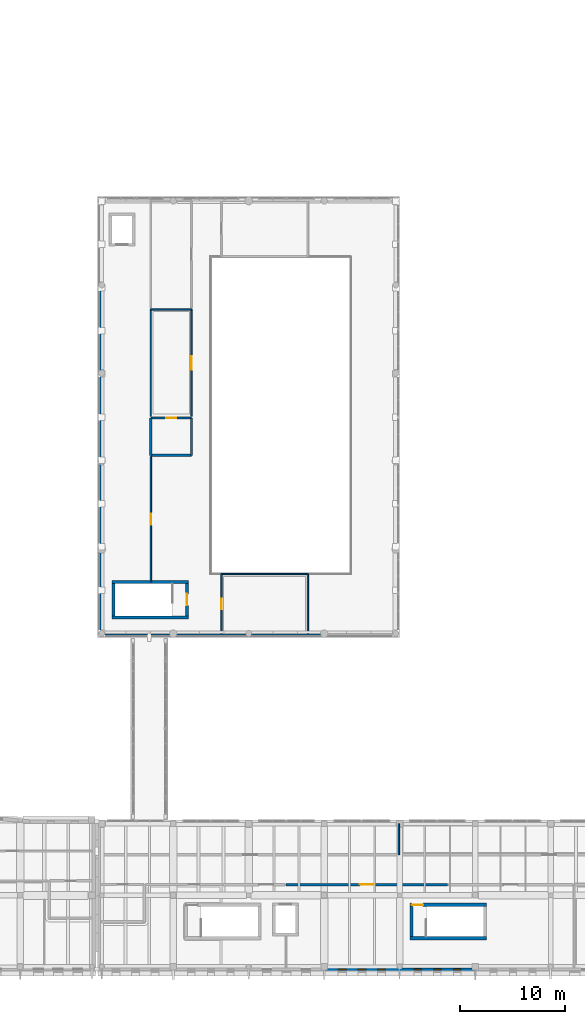
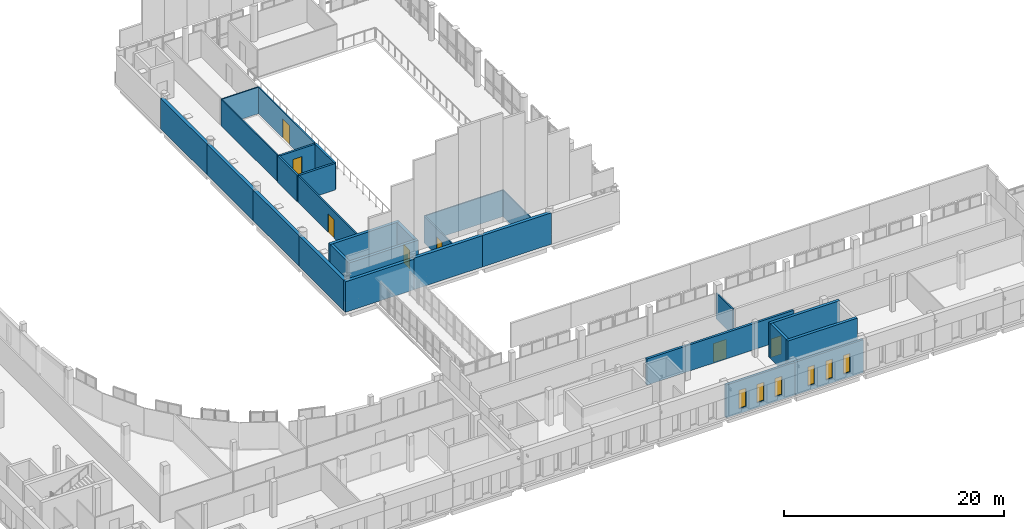
# One storey, part 53 of 76: 29 walls, 7 doors, 6 windows, 13 openings.
"""IFC4 building model written with IfcOpenShell, lengths in metres."""

from ifc_helpers import new_model, si_unit, direction, frame, frame_2d, origin, place, context, subcontext, project, spatial, rectangle, extrude, material, layer, layer_set, type_object, element, fill, save


model = new_model("IFC4")

# Units and contexts
model_context = context("Model", 3, precision=1e-05, world=origin(), true_north=direction((0.0, 1.0)))
body_context = subcontext(model_context, "Body", "Model", "MODEL_VIEW")
ifc_project = project(units=[si_unit("LENGTHUNIT", "METRE"), si_unit("AREAUNIT", "SQUARE_METRE"), si_unit("VOLUMEUNIT", "CUBIC_METRE"), si_unit("PLANEANGLEUNIT", "RADIAN"), si_unit("MASSUNIT", "GRAM", prefix="KILO")], contexts=[model_context])

# Site, building, storey
site_placement = place(None, origin())
site = spatial("IfcSite", under=ifc_project, at=site_placement, CompositionType="ELEMENT")
building_placement = place(site_placement, origin())
building = spatial("IfcBuilding", under=site, at=building_placement, Name="Vardoun Plaza Health Centre", CompositionType="ELEMENT")
storey_placement = place(building_placement, frame((0.0, 0.0, 4.5)))
storey = spatial("IfcBuildingStorey", under=building, at=storey_placement, Name="L01", CompositionType="ELEMENT", Elevation=4.5)

# Walls
ifc_material_1 = material(Name="Concrete C40/50", Category="concrete")
ifc_layer_1 = layer(ifc_material_1, 0.300048828125)
ifc_layer_set_1 = layer_set([ifc_layer_1], Name="Concrete C40/50")
wall_type_1 = type_object("IfcWallType", Name="SW-01", PredefinedType="SHEAR", material=ifc_layer_set_1)
wall_1_placement = place(storey_placement, frame((56.550048828125, 38.199951171875, 0.0), z_axis=(0.0, 0.0, 1.0), x_axis=(-1.0, 0.0, 0.0)))
element("IfcWall", 1, at=wall_1_placement, inside=storey, type_object=wall_type_1, Name="Core C5 L01 Shear Wall S", PredefinedType="SHEAR", context=body_context, shape_type="SweptSolid", body=[
    extrude(rectangle(XDim=7.300048828125, YDim=0.300048828125, at=frame_2d((3.64990234375, 0.0))), origin(), (0.0, 0.0, 1.0), 3.919921875),
])
wall_2_placement = place(storey_placement, frame((49.39990234375, 38.35009765625, 0.0), z_axis=(0.0, 0.0, 1.0), x_axis=(0.0, 1.0, 0.0)))
element("IfcWall", 2, at=wall_2_placement, inside=storey, type_object=wall_type_1, Name="Core C5 L01 Shear Wall W", PredefinedType="SHEAR", context=body_context, shape_type="SweptSolid", body=[
    extrude(rectangle(XDim=3.099853515625, YDim=0.300048828125, at=frame_2d((1.5498046875, 0.0))), origin(), (0.0, 0.0, 1.0), 3.919921875),
])
wall_3_placement = place(storey_placement, frame((49.25, 41.60009765625, 0.0), z_axis=(0.0, 0.0, 1.0), x_axis=(1.0, 0.0, 0.0)))
element("IfcWall", 3, at=wall_3_placement, inside=storey, type_object=wall_type_1, Name="Core C5 L01 Shear Wall N", PredefinedType="SHEAR", context=body_context, shape_type="SweptSolid", body=[
    extrude(rectangle(XDim=7.300048828125, YDim=0.300048828125, at=frame_2d((3.64990234375, 0.0))), origin(), (0.0, 0.0, 1.0), 3.919921875),
])

# Wall, opening, door
wall_4_placement = place(storey_placement, frame((56.39990234375, 41.449951171875, 0.0), z_axis=(0.0, 0.0, 1.0), x_axis=(0.0, -1.0, 0.0)))
wall_4 = element("IfcWall", 4, at=wall_4_placement, inside=storey, type_object=wall_type_1, Name="Core C5 L01 Shear Wall E", PredefinedType="SHEAR", context=body_context, shape_type="SweptSolid", body=[
    extrude(rectangle(XDim=3.099853515625, YDim=0.300048828125, at=frame_2d((1.5498046875, 0.0))), origin(), (0.0, 0.0, 1.0), 3.919921875),
])
opening_1_placement = place(wall_4_placement, frame((1.0, 0.0, 0.0)))
opening_1 = element("IfcOpeningElement", 5, at=opening_1_placement, cuts=wall_4, Name="Opening SD-C5-L01", PredefinedType="OPENING", context=body_context, shape_type="SweptSolid", body=[
    extrude(rectangle(XDim=1.10009765625, YDim=2.050048828125, at=frame_2d((0.550048828125, 1.02490234375))), frame((0.0, 0.14990234375, 0.0), z_axis=(0.0, -1.0, 0.0), x_axis=(1.0, 0.0, 0.0)), (0.0, 0.0, 1.0), 0.300048828125),
])
ifc_material_2 = material(Name="Brushed Stainless Steel Grade 316L", Category="steel")
door_type_1 = type_object("IfcDoorType", Name="FD-01", OperationType="NOTDEFINED", PredefinedType="DOOR", material=ifc_material_2)
door_1_placement = place(opening_1_placement, origin())
door_1 = element("IfcDoor", 6, at=door_1_placement, inside=storey, type_object=door_type_1, Name="Stair C5 L01 Fire Door", OperationType="SINGLE_SWING_RIGHT", OverallHeight=2.050048828125, OverallWidth=1.10009765625, PredefinedType="DOOR", context=body_context, shape_type="SweptSolid", body=[
    extrude(rectangle(XDim=1.10009765625, YDim=2.050048828125, at=frame_2d((0.550048828125, 1.02490234375))), frame((0.0, 0.02490234375, 0.0), z_axis=(0.0, -1.0, 0.0), x_axis=(1.0, 0.0, 0.0)), (0.0, 0.0, 1.0), 0.050048828125),
])
fill(opening_1, door_1)

# Walls
wall_5_placement = place(storey_placement, frame((84.949951171875, 7.60009765625, 0.0), z_axis=(0.0, 0.0, 1.0), x_axis=(-1.0, 0.0, 0.0)))
element("IfcWall", 7, at=wall_5_placement, inside=storey, type_object=wall_type_1, Name="Core C7 L01 Shear Wall S", PredefinedType="SHEAR", context=body_context, shape_type="SweptSolid", body=[
    extrude(rectangle(XDim=7.300048828125, YDim=0.300048828125, at=frame_2d((3.64990234375, 0.0))), origin(), (0.0, 0.0, 1.0), 3.885009765625),
])
wall_6_placement = place(storey_placement, frame((77.800048828125, 7.75, 0.0), z_axis=(0.0, 0.0, 1.0), x_axis=(0.0, 1.0, 0.0)))
element("IfcWall", 8, at=wall_6_placement, inside=storey, type_object=wall_type_1, Name="Core C7 L01 Shear Wall W", PredefinedType="SHEAR", context=body_context, shape_type="SweptSolid", body=[
    extrude(rectangle(XDim=2.89990234375, YDim=0.300048828125, at=frame_2d((1.449951171875, 0.0))), origin(), (0.0, 0.0, 1.0), 3.885009765625),
])

# Wall, opening, door
wall_7_placement = place(storey_placement, frame((77.64990234375, 10.800048828125, 0.0), z_axis=(0.0, 0.0, 1.0), x_axis=(1.0, 0.0, 0.0)))
wall_7 = element("IfcWall", 9, at=wall_7_placement, inside=storey, type_object=wall_type_1, Name="Core C7 L01 Shear Wall N", PredefinedType="SHEAR", context=body_context, shape_type="SweptSolid", body=[
    extrude(rectangle(XDim=7.300048828125, YDim=0.300048828125, at=frame_2d((3.64990234375, 0.0))), origin(), (0.0, 0.0, 1.0), 3.885009765625),
])
opening_2_placement = place(wall_7_placement, frame((0.159912109375, 0.0, 0.0)))
opening_2 = element("IfcOpeningElement", 10, at=opening_2_placement, cuts=wall_7, Name="Opening SD-C7-L01", PredefinedType="OPENING", context=body_context, shape_type="SweptSolid", body=[
    extrude(rectangle(XDim=1.10009765625, YDim=2.050048828125, at=frame_2d((0.550048828125, 1.02490234375))), frame((0.0, 0.14990234375, 0.0), z_axis=(0.0, -1.0, 0.0), x_axis=(1.0, 0.0, 0.0)), (0.0, 0.0, 1.0), 0.300048828125),
])
door_2_placement = place(opening_2_placement, origin())
door_2 = element("IfcDoor", 11, at=door_2_placement, inside=storey, type_object=door_type_1, Name="Stair C7 L01 Fire Door", OperationType="SINGLE_SWING_RIGHT", OverallHeight=2.050048828125, OverallWidth=1.10009765625, PredefinedType="DOOR", context=body_context, shape_type="SweptSolid", body=[
    extrude(rectangle(XDim=1.10009765625, YDim=2.050048828125, at=frame_2d((0.550048828125, 1.02490234375))), frame((0.0, 0.02490234375, 0.0), z_axis=(0.0, -1.0, 0.0), x_axis=(1.0, 0.0, 0.0)), (0.0, 0.0, 1.0), 0.050048828125),
])
fill(opening_2, door_2)

# Wall, openings, windows
ifc_material_3 = material(Name="Pale Limestone Concrete C35/45", Category="masonry")
ifc_layer_2 = layer(ifc_material_3, 0.280029296875)
ifc_layer_set_2 = layer_set([ifc_layer_2], Name="Pale Limestone Concrete C35/45")
wall_type_2 = type_object("IfcWallType", Name="EW-05", PredefinedType="STANDARD", material=ifc_layer_set_2)
wall_8_placement = place(storey_placement, frame((83.8798828125, 4.639892578125, 0.0), z_axis=(0.0, 0.0, 1.0), x_axis=(-1.0, 0.0, 0.0)))
wall_8 = element("IfcWall", 12, at=wall_8_placement, inside=storey, type_object=wall_type_2, Name="V4 L01 Exterior Wall EW-V4-341", PredefinedType="STANDARD", context=body_context, shape_type="SweptSolid", body=[
    extrude(rectangle(XDim=7.199951171875, YDim=0.280029296875, at=frame_2d((3.60009765625, 0.0))), origin(), (0.0, 0.0, 1.0), 3.65576171875),
])
opening_3_placement = place(wall_8_placement, frame((1.387939453125, 0.0, 0.550048828125)))
opening_3 = element("IfcOpeningElement", 13, at=opening_3_placement, cuts=wall_8, Name="Opening W-22-008", PredefinedType="OPENING", context=body_context, shape_type="SweptSolid", body=[
    extrude(rectangle(XDim=0.679931640625, YDim=2.080078125, at=frame_2d((0.33984375, 1.0400390625))), frame((0.0, 0.14013671875, 0.0), z_axis=(0.0, -1.0, 0.0), x_axis=(1.0, 0.0, 0.0)), (0.0, 0.0, 1.0), 0.280029296875),
])
opening_4_placement = place(wall_8_placement, frame((3.260009765625, 0.0, 0.550048828125)))
opening_4 = element("IfcOpeningElement", 14, at=opening_4_placement, cuts=wall_8, Name="Opening W-22-009", PredefinedType="OPENING", context=body_context, shape_type="SweptSolid", body=[
    extrude(rectangle(XDim=0.679931640625, YDim=2.080078125, at=frame_2d((0.33984375, 1.0400390625))), frame((0.0, 0.14013671875, 0.0), z_axis=(0.0, -1.0, 0.0), x_axis=(1.0, 0.0, 0.0)), (0.0, 0.0, 1.0), 0.280029296875),
])
opening_5_placement = place(wall_8_placement, frame((5.132080078125, 0.0, 0.550048828125)))
opening_5 = element("IfcOpeningElement", 15, at=opening_5_placement, cuts=wall_8, Name="Opening W-22-010", PredefinedType="OPENING", context=body_context, shape_type="SweptSolid", body=[
    extrude(rectangle(XDim=0.679931640625, YDim=2.080078125, at=frame_2d((0.33984375, 1.0400390625))), frame((0.0, 0.14013671875, 0.0), z_axis=(0.0, -1.0, 0.0), x_axis=(1.0, 0.0, 0.0)), (0.0, 0.0, 1.0), 0.280029296875),
])
ifc_material_4 = material(Name="Aluminium Alloy EN AW-6063-T6 and Low-E Glass", Category="aluminium")
window_type_1 = type_object("IfcWindowType", Name="W-22", PartitioningType="SINGLE_PANEL", PredefinedType="WINDOW", material=ifc_material_4)
window_1_placement = place(opening_3_placement, origin())
window_1 = element("IfcWindow", 16, at=window_1_placement, inside=storey, type_object=window_type_1, Name="V4 L01 Deep-Punched Slot Window W-22-530", OverallHeight=2.080078125, OverallWidth=0.679931640625, PartitioningType="SINGLE_PANEL", PredefinedType="WINDOW", context=body_context, shape_type="SweptSolid", body=[
    extrude(rectangle(XDim=0.679931640625, YDim=2.080078125, at=frame_2d((0.33984375, 1.0400390625))), frame((0.0, 0.030029296875, 0.0), z_axis=(0.0, -1.0, 0.0), x_axis=(1.0, 0.0, 0.0)), (0.0, 0.0, 1.0), 0.06005859375),
])
fill(opening_3, window_1)
window_2_placement = place(opening_4_placement, origin())
window_2 = element("IfcWindow", 17, at=window_2_placement, inside=storey, type_object=window_type_1, Name="V4 L01 Deep-Punched Slot Window W-22-531", OverallHeight=2.080078125, OverallWidth=0.679931640625, PartitioningType="SINGLE_PANEL", PredefinedType="WINDOW", context=body_context, shape_type="SweptSolid", body=[
    extrude(rectangle(XDim=0.679931640625, YDim=2.080078125, at=frame_2d((0.33984375, 1.0400390625))), frame((0.0, 0.030029296875, 0.0), z_axis=(0.0, -1.0, 0.0), x_axis=(1.0, 0.0, 0.0)), (0.0, 0.0, 1.0), 0.06005859375),
])
fill(opening_4, window_2)
window_3_placement = place(opening_5_placement, origin())
window_3 = element("IfcWindow", 18, at=window_3_placement, inside=storey, type_object=window_type_1, Name="V4 L01 Deep-Punched Slot Window W-22-532", OverallHeight=2.080078125, OverallWidth=0.679931640625, PartitioningType="SINGLE_PANEL", PredefinedType="WINDOW", context=body_context, shape_type="SweptSolid", body=[
    extrude(rectangle(XDim=0.679931640625, YDim=2.080078125, at=frame_2d((0.33984375, 1.0400390625))), frame((0.0, 0.030029296875, 0.0), z_axis=(0.0, -1.0, 0.0), x_axis=(1.0, 0.0, 0.0)), (0.0, 0.0, 1.0), 0.06005859375),
])
fill(opening_5, window_3)

wall_9_placement = place(storey_placement, frame((76.679931640625, 4.639892578125, 0.0), z_axis=(0.0, 0.0, 1.0), x_axis=(-1.0, 0.0, 0.0)))
wall_9 = element("IfcWall", 19, at=wall_9_placement, inside=storey, type_object=wall_type_2, Name="V4 L01 Exterior Wall EW-V4-342", PredefinedType="STANDARD", context=body_context, shape_type="SweptSolid", body=[
    extrude(rectangle(XDim=7.199951171875, YDim=0.280029296875, at=frame_2d((3.60009765625, 0.0))), origin(), (0.0, 0.0, 1.0), 3.65576171875),
])
opening_6_placement = place(wall_9_placement, frame((1.35791015625, 0.0, 0.550048828125)))
opening_6 = element("IfcOpeningElement", 20, at=opening_6_placement, cuts=wall_9, Name="Opening W-23-008", PredefinedType="OPENING", context=body_context, shape_type="SweptSolid", body=[
    extrude(rectangle(XDim=0.739990234375, YDim=2.0400390625, at=frame_2d((0.3701171875, 1.02001953125))), frame((0.0, 0.14013671875, 0.0), z_axis=(0.0, -1.0, 0.0), x_axis=(1.0, 0.0, 0.0)), (0.0, 0.0, 1.0), 0.280029296875),
])
opening_7_placement = place(wall_9_placement, frame((3.22998046875, 0.0, 0.550048828125)))
opening_7 = element("IfcOpeningElement", 21, at=opening_7_placement, cuts=wall_9, Name="Opening W-23-009", PredefinedType="OPENING", context=body_context, shape_type="SweptSolid", body=[
    extrude(rectangle(XDim=0.739990234375, YDim=2.0400390625, at=frame_2d((0.3701171875, 1.02001953125))), frame((0.0, 0.14013671875, 0.0), z_axis=(0.0, -1.0, 0.0), x_axis=(1.0, 0.0, 0.0)), (0.0, 0.0, 1.0), 0.280029296875),
])
opening_8_placement = place(wall_9_placement, frame((5.10205078125, 0.0, 0.550048828125)))
opening_8 = element("IfcOpeningElement", 22, at=opening_8_placement, cuts=wall_9, Name="Opening W-23-010", PredefinedType="OPENING", context=body_context, shape_type="SweptSolid", body=[
    extrude(rectangle(XDim=0.739990234375, YDim=2.0400390625, at=frame_2d((0.3701171875, 1.02001953125))), frame((0.0, 0.14013671875, 0.0), z_axis=(0.0, -1.0, 0.0), x_axis=(1.0, 0.0, 0.0)), (0.0, 0.0, 1.0), 0.280029296875),
])
ifc_material_5 = material(Name="Aluminium Alloy EN AW-6063-T6 and Low-E Glass", Category="aluminium")
window_type_2 = type_object("IfcWindowType", Name="W-23", PartitioningType="SINGLE_PANEL", PredefinedType="WINDOW", material=ifc_material_5)
window_4_placement = place(opening_6_placement, origin())
window_4 = element("IfcWindow", 23, at=window_4_placement, inside=storey, type_object=window_type_2, Name="V4 L01 Deep-Punched Slot Window W-23-533", OverallHeight=2.0400390625, OverallWidth=0.739990234375, PartitioningType="SINGLE_PANEL", PredefinedType="WINDOW", context=body_context, shape_type="SweptSolid", body=[
    extrude(rectangle(XDim=0.739990234375, YDim=2.0400390625, at=frame_2d((0.3701171875, 1.02001953125))), frame((0.0, 0.030029296875, 0.0), z_axis=(0.0, -1.0, 0.0), x_axis=(1.0, 0.0, 0.0)), (0.0, 0.0, 1.0), 0.06005859375),
])
fill(opening_6, window_4)
window_5_placement = place(opening_7_placement, origin())
window_5 = element("IfcWindow", 24, at=window_5_placement, inside=storey, type_object=window_type_2, Name="V4 L01 Deep-Punched Slot Window W-23-534", OverallHeight=2.0400390625, OverallWidth=0.739990234375, PartitioningType="SINGLE_PANEL", PredefinedType="WINDOW", context=body_context, shape_type="SweptSolid", body=[
    extrude(rectangle(XDim=0.739990234375, YDim=2.0400390625, at=frame_2d((0.3701171875, 1.02001953125))), frame((0.0, 0.030029296875, 0.0), z_axis=(0.0, -1.0, 0.0), x_axis=(1.0, 0.0, 0.0)), (0.0, 0.0, 1.0), 0.06005859375),
])
fill(opening_7, window_5)
window_6_placement = place(opening_8_placement, origin())
window_6 = element("IfcWindow", 25, at=window_6_placement, inside=storey, type_object=window_type_2, Name="V4 L01 Deep-Punched Slot Window W-23-535", OverallHeight=2.0400390625, OverallWidth=0.739990234375, PartitioningType="SINGLE_PANEL", PredefinedType="WINDOW", context=body_context, shape_type="SweptSolid", body=[
    extrude(rectangle(XDim=0.739990234375, YDim=2.0400390625, at=frame_2d((0.3701171875, 1.02001953125))), frame((0.0, 0.030029296875, 0.0), z_axis=(0.0, -1.0, 0.0), x_axis=(1.0, 0.0, 0.0)), (0.0, 0.0, 1.0), 0.06005859375),
])
fill(opening_8, window_6)

# Walls
ifc_material_6 = material(Name="Pale Limestone Concrete C35/45", Category="masonry")
ifc_layer_3 = layer(ifc_material_6, 0.330078125)
ifc_layer_set_3 = layer_set([ifc_layer_3], Name="Pale Limestone Concrete C35/45")
wall_type_3 = type_object("IfcWallType", Name="EW-02", PredefinedType="SOLIDWALL", material=ifc_layer_set_3)
for number, where, z_axis, x_axis, name in (
    (26, (69.47998046875, 36.465087890625, 0.0), (0.0, 0.0, 1.0), (-1.0, 0.0, 0.0), "V1 L01 Exterior Wall EW-V1-031"),
    (27, (62.280029296875, 36.465087890625, 0.0), (0.0, 0.0, 1.0), (-1.0, 0.0, 0.0), "V1 L01 Exterior Wall EW-V1-032"),
):
    element("IfcWall", number, at=place(storey_placement, frame(where, z_axis=z_axis, x_axis=x_axis)), inside=storey, type_object=wall_type_3, Name=name, PredefinedType="SOLIDWALL", context=body_context, shape_type="SweptSolid", body=[
        extrude(rectangle(XDim=7.199951171875, YDim=0.330078125, at=frame_2d((3.60009765625, 0.0))), origin(), (0.0, 0.0, 1.0), 3.485107421875),
    ])
wall_10_placement = place(storey_placement, frame((55.080078125, 36.465087890625, 0.0), z_axis=(0.0, 0.0, 1.0), x_axis=(-1.0, 0.0, 0.0)))
element("IfcWall", 28, at=wall_10_placement, inside=storey, type_object=wall_type_3, Name="V1 L01 Exterior Wall EW-V1-033", PredefinedType="SOLIDWALL", context=body_context, shape_type="SweptSolid", body=[
    extrude(rectangle(XDim=7.2001953125, YDim=0.330078125, at=frame_2d((3.60009765625, 0.0))), origin(), (0.0, 0.0, 1.0), 3.385009765625),
])
wall_11_placement = place(storey_placement, frame((48.044921875, 36.6298828125, 0.0), z_axis=(0.0, 0.0, 1.0), x_axis=(0.0, 1.0, 0.0)))
element("IfcWall", 29, at=wall_11_placement, inside=storey, type_object=wall_type_3, Name="V1 L01 Exterior Wall EW-V1-034", PredefinedType="SOLIDWALL", context=body_context, shape_type="SweptSolid", body=[
    extrude(rectangle(XDim=8.070068359375, YDim=0.330078125, at=frame_2d((4.03515625, 0.0))), origin(), (0.0, 0.0, 1.0), 3.385009765625),
])
wall_12_placement = place(storey_placement, frame((48.044921875, 44.699951171875, 0.0), z_axis=(0.0, 0.0, 1.0), x_axis=(0.0, 1.0, 0.0)))
element("IfcWall", 30, at=wall_12_placement, inside=storey, type_object=wall_type_3, Name="V1 L01 Exterior Wall EW-V1-035", PredefinedType="SOLIDWALL", context=body_context, shape_type="SweptSolid", body=[
    extrude(rectangle(XDim=8.400146484375, YDim=0.330078125, at=frame_2d((4.2001953125, 0.0))), origin(), (0.0, 0.0, 1.0), 3.385009765625),
])
for number, where, z_axis, x_axis, name in (
    (31, (48.044921875, 53.10009765625, 0.0), (0.0, 0.0, 1.0), (0.0, 1.0, 0.0), "V1 L01 Exterior Wall EW-V1-036"),
    (32, (48.044921875, 61.5, 0.0), (0.0, 0.0, 1.0), (0.0, 1.0, 0.0), "V1 L01 Exterior Wall EW-V1-037"),
):
    element("IfcWall", number, at=place(storey_placement, frame(where, z_axis=z_axis, x_axis=x_axis)), inside=storey, type_object=wall_type_3, Name=name, PredefinedType="SOLIDWALL", context=body_context, shape_type="SweptSolid", body=[
        extrude(rectangle(XDim=8.39990234375, YDim=0.330078125, at=frame_2d((4.199951171875, 0.0))), origin(), (0.0, 0.0, 1.0), 3.385009765625),
    ])

# Wall, opening, door
ifc_material_7 = material(Name="Acoustic Gypsum Twin-Stud", Category="steel")
ifc_layer_4 = layer(ifc_material_7, 0.14990234375)
ifc_layer_set_4 = layer_set([ifc_layer_4], Name="Acoustic Gypsum Twin-Stud")
wall_type_4 = type_object("IfcWallType", Name="IW-04", PredefinedType="PARTITIONING", material=ifc_layer_set_4)
wall_13_placement = place(storey_placement, frame((52.93994140625, 41.60009765625, 0.0), z_axis=(0.0, 0.0, 1.0), x_axis=(0.0, 1.0, 0.0)))
wall_13 = element("IfcWall", 33, at=wall_13_placement, inside=storey, type_object=wall_type_4, Name="Waiting Concourse Gallery North Partition Wall", PredefinedType="PARTITIONING", context=body_context, shape_type="SweptSolid", body=[
    extrude(rectangle(XDim=11.928955078125, YDim=0.14990234375, at=frame_2d((5.96435546875, 0.0))), origin(), (0.0, 0.0, 1.0), 2.93994140625),
])
opening_9_placement = place(wall_13_placement, frame((5.444580078125, 0.0, 0.0)))
opening_9 = element("IfcOpeningElement", 34, at=opening_9_placement, cuts=wall_13, Name="Opening D-L01-013", PredefinedType="OPENING", context=body_context, shape_type="SweptSolid", body=[
    extrude(rectangle(XDim=1.0400390625, YDim=2.050048828125, at=frame_2d((0.52001953125, 1.02490234375))), frame((0.0, 0.074951171875, 0.0), z_axis=(0.0, -1.0, 0.0), x_axis=(1.0, 0.0, 0.0)), (0.0, 0.0, 1.0), 0.14990234375),
])
ifc_material_8 = material(Name="Antimicrobial Acoustic Timber and Steel S275JR", Category="steel")
door_type_2 = type_object("IfcDoorType", Name="CD-04", OperationType="NOTDEFINED", PredefinedType="DOOR", material=ifc_material_8)
door_3_placement = place(opening_9_placement, origin())
door_3 = element("IfcDoor", 35, at=door_3_placement, inside=storey, type_object=door_type_2, Name="Waiting Concourse Gallery North Door D-L01-013", OperationType="SINGLE_SWING_LEFT", OverallHeight=2.050048828125, OverallWidth=1.0400390625, PredefinedType="DOOR", context=body_context, shape_type="SweptSolid", body=[
    extrude(rectangle(XDim=1.0400390625, YDim=2.050048828125, at=frame_2d((0.52001953125, 1.02490234375))), frame((0.0, 0.02490234375, 0.0), z_axis=(0.0, -1.0, 0.0), x_axis=(1.0, 0.0, 0.0)), (0.0, 0.0, 1.0), 0.050048828125),
])
fill(opening_9, door_3)

wall_14_placement = place(storey_placement, frame((59.669921875, 36.64990234375, 0.0), z_axis=(0.0, 0.0, 1.0), x_axis=(0.0, 1.0, 0.0)))
wall_14 = element("IfcWall", 36, at=wall_14_placement, inside=storey, type_object=wall_type_4, Name="Waiting Concourse Gallery South Partition Wall", PredefinedType="PARTITIONING", context=body_context, shape_type="SweptSolid", body=[
    extrude(rectangle(XDim=5.7001953125, YDim=0.14990234375, at=frame_2d((2.85009765625, 0.0))), origin(), (0.0, 0.0, 1.0), 2.93994140625),
])
opening_10_placement = place(wall_14_placement, frame((2.35009765625, 0.0, 0.0)))
opening_10 = element("IfcOpeningElement", 37, at=opening_10_placement, cuts=wall_14, Name="Opening D-L01-014", PredefinedType="OPENING", context=body_context, shape_type="SweptSolid", body=[
    extrude(rectangle(XDim=1.0, YDim=2.050048828125, at=frame_2d((0.5, 1.02490234375))), frame((0.0, 0.074951171875, 0.0), z_axis=(0.0, -1.0, 0.0), x_axis=(1.0, 0.0, 0.0)), (0.0, 0.0, 1.0), 0.14990234375),
])
ifc_material_9 = material(Name="Antimicrobial Acoustic Timber and Steel S275JR", Category="steel")
door_type_3 = type_object("IfcDoorType", Name="CD-03", OperationType="NOTDEFINED", PredefinedType="DOOR", material=ifc_material_9)
door_4_placement = place(opening_10_placement, origin())
door_4 = element("IfcDoor", 38, at=door_4_placement, inside=storey, type_object=door_type_3, Name="Waiting Concourse Gallery South Door D-L01-014", OperationType="SINGLE_SWING_RIGHT", OverallHeight=2.050048828125, OverallWidth=1.0, PredefinedType="DOOR", context=body_context, shape_type="SweptSolid", body=[
    extrude(rectangle(XDim=1.0, YDim=2.050048828125, at=frame_2d((0.5, 1.02490234375))), frame((0.0, 0.02490234375, 0.0), z_axis=(0.0, -1.0, 0.0), x_axis=(1.0, 0.0, 0.0)), (0.0, 0.0, 1.0), 0.050048828125),
])
fill(opening_10, door_4)

# Walls
ifc_material_10 = material(Name="Standard Clinical Sub-Partition", Category="steel")
ifc_layer_5 = layer(ifc_material_10, 0.125)
ifc_layer_set_5 = layer_set([ifc_layer_5], Name="Standard Clinical Sub-Partition")
wall_type_5 = type_object("IfcWallType", Name="IW-11", PredefinedType="PARTITIONING", material=ifc_layer_set_5)
wall_15_placement = place(storey_placement, frame((59.669921875, 42.35009765625, 0.0), z_axis=(0.0, 0.0, 1.0), x_axis=(1.0, 0.0, 0.0)))
element("IfcWall", 39, at=wall_15_placement, inside=storey, type_object=wall_type_5, Name="Waiting Concourse Gallery South Enclosure Partition", PredefinedType="PARTITIONING", context=body_context, shape_type="SweptSolid", body=[
    extrude(rectangle(XDim=8.25, YDim=0.125, at=frame_2d((4.125, 0.0))), origin(), (0.0, 0.0, 1.0), 2.93994140625),
])
wall_16_placement = place(storey_placement, frame((67.919921875, 42.35009765625, 0.0), z_axis=(0.0, 0.0, 1.0), x_axis=(0.0, -1.0, 0.0)))
element("IfcWall", 40, at=wall_16_placement, inside=storey, type_object=wall_type_5, Name="Waiting Concourse Gallery South Enclosure Partition", PredefinedType="PARTITIONING", context=body_context, shape_type="SweptSolid", body=[
    extrude(rectangle(XDim=5.7001953125, YDim=0.125, at=frame_2d((2.85009765625, 0.0))), origin(), (0.0, 0.0, 1.0), 2.93994140625),
])
wall_17_placement = place(storey_placement, frame((52.93994140625, 57.3798828125, 0.0), z_axis=(0.0, 0.0, 1.0), x_axis=(0.0, 1.0, 0.0)))
element("IfcWall", 41, at=wall_17_placement, inside=storey, type_object=wall_type_5, Name="Health Education Kiosk Enclosure Partition", PredefinedType="PARTITIONING", context=body_context, shape_type="SweptSolid", body=[
    extrude(rectangle(XDim=10.205078125, YDim=0.125, at=frame_2d((5.1025390625, 0.0))), origin(), (0.0, 0.0, 1.0), 2.93994140625),
])
wall_18_placement = place(storey_placement, frame((52.93994140625, 67.5849609375, 0.0), z_axis=(0.0, 0.0, 1.0), x_axis=(1.0, 0.0, 0.0)))
element("IfcWall", 42, at=wall_18_placement, inside=storey, type_object=wall_type_5, Name="Health Education Kiosk Enclosure Partition", PredefinedType="PARTITIONING", context=body_context, shape_type="SweptSolid", body=[
    extrude(rectangle(XDim=3.89013671875, YDim=0.125, at=frame_2d((1.945068359375, 0.0))), origin(), (0.0, 0.0, 1.0), 2.93994140625),
])
wall_19_placement = place(storey_placement, frame((76.60009765625, 18.550048828125, 0.0), z_axis=(0.0, 0.0, 1.0), x_axis=(0.0, -1.0, 0.0)))
element("IfcWall", 43, at=wall_19_placement, inside=storey, type_object=wall_type_5, Name="Microbiology Specimen Room Enclosure Partition", PredefinedType="PARTITIONING", context=body_context, shape_type="SweptSolid", body=[
    extrude(rectangle(XDim=2.97998046875, YDim=0.125, at=frame_2d((1.489990234375, 0.0))), origin(), (0.0, 0.0, 1.0), 2.905029296875),
])

# Wall, opening, door
ifc_material_11 = material(Name="Acoustic Demountable Seminar Wall", Category="steel")
ifc_layer_6 = layer(ifc_material_11, 0.135009765625)
ifc_layer_set_6 = layer_set([ifc_layer_6], Name="Acoustic Demountable Seminar Wall")
wall_type_6 = type_object("IfcWallType", Name="IW-07", PredefinedType="MOVABLE", material=ifc_layer_set_6)
wall_20_placement = place(storey_placement, frame((56.830078125, 67.5849609375, 0.0), z_axis=(0.0, 0.0, 1.0), x_axis=(0.0, -1.0, 0.0)))
wall_20 = element("IfcWall", 44, at=wall_20_placement, inside=storey, type_object=wall_type_6, Name="Health Education Kiosk Partition Wall", PredefinedType="MOVABLE", context=body_context, shape_type="SweptSolid", body=[
    extrude(rectangle(XDim=10.205078125, YDim=0.135009765625, at=frame_2d((5.1025390625, 0.0))), origin(), (0.0, 0.0, 1.0), 2.93994140625),
])
opening_11_placement = place(wall_20_placement, frame((4.452392578125, 0.0, 0.0)))
opening_11 = element("IfcOpeningElement", 45, at=opening_11_placement, cuts=wall_20, Name="Opening D-L01-016", PredefinedType="OPENING", context=body_context, shape_type="SweptSolid", body=[
    extrude(rectangle(XDim=1.300048828125, YDim=2.10009765625, at=frame_2d((0.64990234375, 1.050048828125))), frame((0.0, 0.0673828125, 0.0), z_axis=(0.0, -1.0, 0.0), x_axis=(1.0, 0.0, 0.0)), (0.0, 0.0, 1.0), 0.135009765625),
])
ifc_material_12 = material(Name="Antimicrobial Acoustic Timber and Steel S275JR", Category="steel")
door_type_4 = type_object("IfcDoorType", Name="CD-09", OperationType="NOTDEFINED", PredefinedType="DOOR", material=ifc_material_12)
door_5_placement = place(opening_11_placement, origin())
door_5 = element("IfcDoor", 46, at=door_5_placement, inside=storey, type_object=door_type_4, Name="Health Education Kiosk Door D-L01-016", OperationType="SINGLE_SWING_RIGHT", OverallHeight=2.10009765625, OverallWidth=1.300048828125, PredefinedType="DOOR", context=body_context, shape_type="SweptSolid", body=[
    extrude(rectangle(XDim=1.300048828125, YDim=2.10009765625, at=frame_2d((0.64990234375, 1.050048828125))), frame((0.0, 0.02490234375, 0.0), z_axis=(0.0, -1.0, 0.0), x_axis=(1.0, 0.0, 0.0)), (0.0, 0.0, 1.0), 0.050048828125),
])
fill(opening_11, door_5)

ifc_material_13 = material(Name="Moisture-Resistant Plumbing Chase", Category="steel")
ifc_layer_7 = layer(ifc_material_13, 0.215087890625)
ifc_layer_set_7 = layer_set([ifc_layer_7], Name="Moisture-Resistant Plumbing Chase")
wall_type_7 = type_object("IfcWallType", Name="IW-06", PredefinedType="PLUMBINGWALL", material=ifc_layer_set_7)
wall_21_placement = place(storey_placement, frame((52.93994140625, 57.219970703125, 0.0), z_axis=(0.0, 0.0, 1.0), x_axis=(1.0, 0.0, 0.0)))
wall_21 = element("IfcWall", 47, at=wall_21_placement, inside=storey, type_object=wall_type_7, Name="Accessible WC L01-V1 Partition Wall", PredefinedType="PLUMBINGWALL", context=body_context, shape_type="SweptSolid", body=[
    extrude(rectangle(XDim=3.89013671875, YDim=0.215087890625, at=frame_2d((1.945068359375, 0.0))), origin(), (0.0, 0.0, 1.0), 2.93994140625),
])
opening_12_placement = place(wall_21_placement, frame((1.469970703125, 0.0, 0.0)))
opening_12 = element("IfcOpeningElement", 48, at=opening_12_placement, cuts=wall_21, Name="Opening D-L01-012", PredefinedType="OPENING", context=body_context, shape_type="SweptSolid", body=[
    extrude(rectangle(XDim=0.949951171875, YDim=2.050048828125, at=frame_2d((0.47509765625, 1.02490234375))), frame((0.0, 0.107421875, 0.0), z_axis=(0.0, -1.0, 0.0), x_axis=(1.0, 0.0, 0.0)), (0.0, 0.0, 1.0), 0.215087890625),
])
ifc_material_14 = material(Name="Antimicrobial Acoustic Timber and Steel S275JR", Category="steel")
door_type_5 = type_object("IfcDoorType", Name="CD-07", OperationType="NOTDEFINED", PredefinedType="DOOR", material=ifc_material_14)
door_6_placement = place(opening_12_placement, origin())
door_6 = element("IfcDoor", 49, at=door_6_placement, inside=storey, type_object=door_type_5, Name="Accessible WC L01-V1 Door D-L01-012", OperationType="SINGLE_SWING_RIGHT", OverallHeight=2.050048828125, OverallWidth=0.949951171875, PredefinedType="DOOR", context=body_context, shape_type="SweptSolid", body=[
    extrude(rectangle(XDim=0.949951171875, YDim=2.050048828125, at=frame_2d((0.47509765625, 1.02490234375))), frame((0.0, 0.02490234375, 0.0), z_axis=(0.0, -1.0, 0.0), x_axis=(1.0, 0.0, 0.0)), (0.0, 0.0, 1.0), 0.050048828125),
])
fill(opening_12, door_6)

# Walls
wall_22_placement = place(storey_placement, frame((56.830078125, 57.219970703125, 0.0), z_axis=(0.0, 0.0, 1.0), x_axis=(0.0, -1.0, 0.0)))
element("IfcWall", 50, at=wall_22_placement, inside=storey, type_object=wall_type_7, Name="Accessible WC L01-V1 Enclosure Partition", PredefinedType="PLUMBINGWALL", context=body_context, shape_type="SweptSolid", body=[
    extrude(rectangle(XDim=3.55078125, YDim=0.215087890625, at=frame_2d((1.775390625, 0.0))), origin(), (0.0, 0.0, 1.0), 2.93994140625),
])
wall_23_placement = place(storey_placement, frame((56.830078125, 53.669189453125, 0.0), z_axis=(0.0, 0.0, 1.0), x_axis=(-1.0, 0.0, 0.0)))
element("IfcWall", 51, at=wall_23_placement, inside=storey, type_object=wall_type_7, Name="Accessible WC L01-V1 Enclosure Partition", PredefinedType="PLUMBINGWALL", context=body_context, shape_type="SweptSolid", body=[
    extrude(rectangle(XDim=3.89013671875, YDim=0.215087890625, at=frame_2d((1.945068359375, 0.0))), origin(), (0.0, 0.0, 1.0), 2.93994140625),
])
wall_24_placement = place(storey_placement, frame((52.93994140625, 53.669189453125, 0.0), z_axis=(0.0, 0.0, 1.0), x_axis=(0.0, 1.0, 0.0)))
element("IfcWall", 52, at=wall_24_placement, inside=storey, type_object=wall_type_7, Name="Accessible WC L01-V1 Enclosure Partition", PredefinedType="PLUMBINGWALL", context=body_context, shape_type="SweptSolid", body=[
    extrude(rectangle(XDim=3.55078125, YDim=0.215087890625, at=frame_2d((1.775390625, 0.0))), origin(), (0.0, 0.0, 1.0), 2.93994140625),
])

# Wall, opening, door
ifc_material_15 = material(Name="Lead-Lined Concrete C35/45", Category="concrete")
ifc_layer_8 = layer(ifc_material_15, 0.239990234375)
ifc_layer_set_8 = layer_set([ifc_layer_8], Name="Lead-Lined Concrete C35/45")
wall_type_8 = type_object("IfcWallType", Name="IW-03", PredefinedType="SOLIDWALL", material=ifc_layer_set_8)
wall_25_placement = place(storey_placement, frame((65.840087890625, 12.72998046875, 0.0), z_axis=(0.0, 0.0, 1.0), x_axis=(1.0, 0.0, 0.0)))
wall_25 = element("IfcWall", 53, at=wall_25_placement, inside=storey, type_object=wall_type_8, Name="Clinical Pathology Laboratory Partition Wall", PredefinedType="SOLIDWALL", context=body_context, shape_type="SweptSolid", body=[
    extrude(rectangle(XDim=15.419921875, YDim=0.239990234375, at=frame_2d((7.7099609375, 0.0))), origin(), (0.0, 0.0, 1.0), 2.905029296875),
])
opening_13_placement = place(wall_25_placement, frame((7.034912109375, 0.0, 0.0)))
opening_13 = element("IfcOpeningElement", 54, at=opening_13_placement, cuts=wall_25, Name="Opening D-L01-124", PredefinedType="OPENING", context=body_context, shape_type="SweptSolid", body=[
    extrude(rectangle(XDim=1.35009765625, YDim=2.10009765625, at=frame_2d((0.675048828125, 1.050048828125))), frame((0.0, 0.1201171875, 0.0), z_axis=(0.0, -1.0, 0.0), x_axis=(1.0, 0.0, 0.0)), (0.0, 0.0, 1.0), 0.239990234375),
])
ifc_material_16 = material(Name="Antimicrobial Acoustic Timber and Steel S275JR", Category="steel")
door_type_6 = type_object("IfcDoorType", Name="CD-02", OperationType="NOTDEFINED", PredefinedType="DOOR", material=ifc_material_16)
door_7_placement = place(opening_13_placement, origin())
door_7 = element("IfcDoor", 55, at=door_7_placement, inside=storey, type_object=door_type_6, Name="Clinical Pathology Laboratory Door D-L01-124", OperationType="SINGLE_SWING_RIGHT", OverallHeight=2.10009765625, OverallWidth=1.35009765625, PredefinedType="DOOR", context=body_context, shape_type="SweptSolid", body=[
    extrude(rectangle(XDim=1.35009765625, YDim=2.10009765625, at=frame_2d((0.675048828125, 1.050048828125))), frame((0.0, 0.02490234375, 0.0), z_axis=(0.0, -1.0, 0.0), x_axis=(1.0, 0.0, 0.0)), (0.0, 0.0, 1.0), 0.050048828125),
])
fill(opening_13, door_7)

save(model, "model.ifc")
